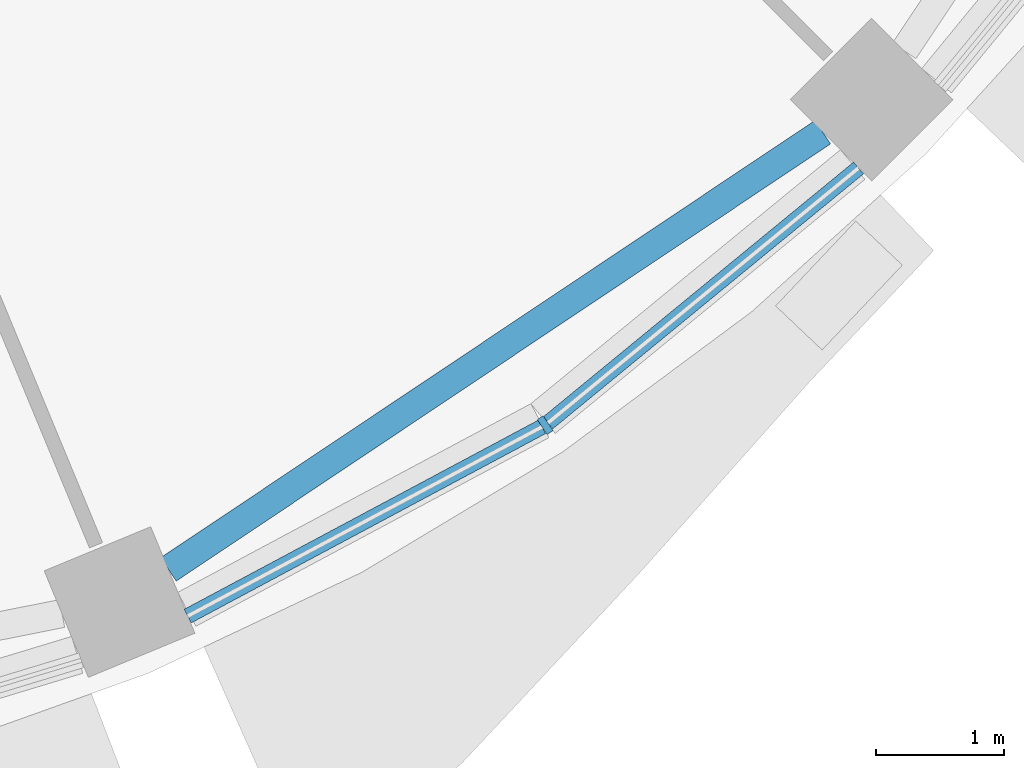
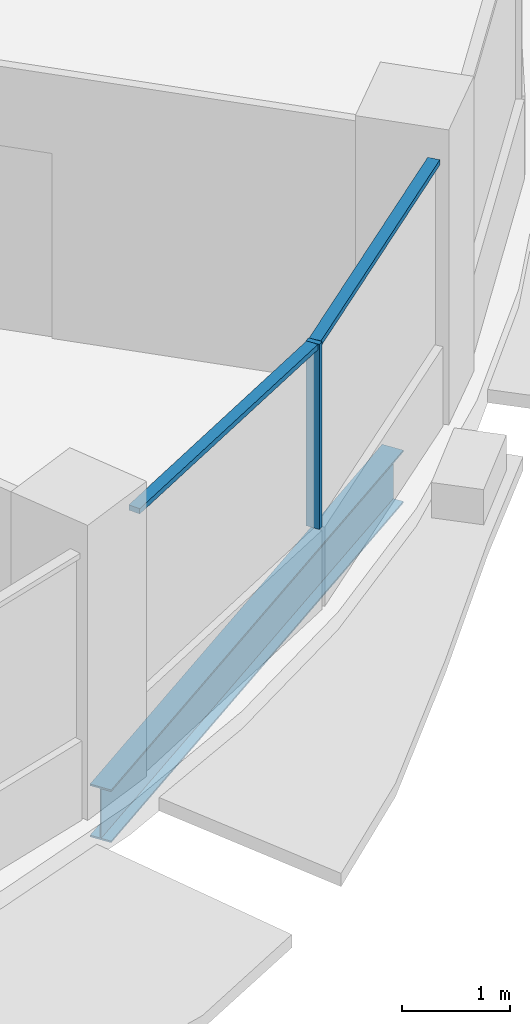
# One storey, part 3 of 15: 3 members, 1 beam, 1 element without a shape of its own.
"""IFC4 building model written with IfcOpenShell, lengths in metres."""

from ifc_helpers import new_model, si_unit, direction, frame, origin, origin_2d, place, context, subcontext, project, spatial, rectangle, i_section, extrude, material, material_profile, profile_set, type_object, element, aggregate, save


model = new_model("IFC4")

# Units and contexts
model_context = context("Model", 3, precision=1e-05, world=origin(), true_north=direction((0.0, 1.0)))
body_context = subcontext(model_context, "Body", "Model", "MODEL_VIEW")
ifc_project = project(units=[si_unit("LENGTHUNIT", "METRE"), si_unit("AREAUNIT", "SQUARE_METRE"), si_unit("VOLUMEUNIT", "CUBIC_METRE"), si_unit("PLANEANGLEUNIT", "RADIAN"), si_unit("MASSUNIT", "GRAM", prefix="KILO")], contexts=[model_context])

# Site, building, storey
site_placement = place(None, origin())
site = spatial("IfcSite", under=ifc_project, at=site_placement, CompositionType="ELEMENT")
building_placement = place(site_placement, origin())
building = spatial("IfcBuilding", under=site, at=building_placement, Name="Polderwave Tower", CompositionType="ELEMENT")
storey_placement = place(building_placement, frame((0.0, 0.0, 167.550048828125)))
storey = spatial("IfcBuildingStorey", under=building, at=storey_placement, Name="L44", CompositionType="ELEMENT", Elevation=167.550048828125)

# Curtain wall, members
ifc_material_1 = material(Name="Aluminium 6063-T6 and glass", Category="aluminium")
curtain_wall_type = type_object("IfcCurtainWallType", Name="Office ribbon glazing wall", PredefinedType="NOTDEFINED", material=ifc_material_1)
curtain_wall_placement = place(storey_placement, origin())
curtain_wall = element("IfcCurtainWall", 1, at=curtain_wall_placement, inside=storey, type_object=curtain_wall_type, Name="CW3 L44 13", PredefinedType="NOTDEFINED")
ifc_material_2 = material(Name="Aluminium 6063-T6", Category="aluminium")
ifc_material_profile_1 = material_profile(ifc_material_2, rectangle(XDim=0.139892578125, YDim=0.054931640625, at=origin_2d()), Name="AL 55x140")
ifc_profile_set_1 = profile_set([ifc_material_profile_1], Name="Aluminium 6063-T6")
member_type_1 = type_object("IfcMemberType", Name="Office ribbon glazing mullion 55x140", PredefinedType="MULLION", material=ifc_profile_set_1)
member_1_placement = place(storey_placement, frame((10.25, -15.341064453125, 0.89990234375), z_axis=(0.0, 0.0, 1.0), x_axis=(-0.555454132545, 0.831547176436, 0.0)))
member_1 = element("IfcMember", 2, at=member_1_placement, type_object=member_type_1, Name="CW3 mullion 1", PredefinedType="MULLION", context=body_context, shape_type="SweptSolid", body=[
    extrude(rectangle(XDim=0.139892578125, YDim=0.054931640625, at=origin_2d()), origin(), (0.0, 0.0, 1.0), 2.10009765625),
])
ifc_material_profile_2 = material_profile(ifc_material_2, rectangle(XDim=0.1201171875, YDim=0.06005859375, at=origin_2d()), Name="AL 60x120")
ifc_profile_set_2 = profile_set([ifc_material_profile_2], Name="Aluminium 6063-T6")
member_type_2 = type_object("IfcMemberType", Name="Office ribbon glazing transom 60x120", PredefinedType="USERDEFINED", material=ifc_profile_set_2)
member_2_placement = place(storey_placement, frame((7.458984375, -16.83203125, 2.969970703125), z_axis=(0.882020915121, 0.471210255925, 0.0), x_axis=(-0.471210255925, 0.882020915121, 0.0)))
member_2 = element("IfcMember", 3, at=member_2_placement, type_object=member_type_2, Name="CW3 transom 1", ObjectType="TRANSOM", PredefinedType="USERDEFINED", context=body_context, shape_type="SweptSolid", body=[
    extrude(rectangle(XDim=0.1201171875, YDim=0.06005859375, at=origin_2d()), origin(), (0.0, 0.0, 1.0), 3.13671875),
])
member_3_placement = place(storey_placement, frame((10.271240234375, -15.323486328125, 2.969970703125), z_axis=(0.773058696079, 0.634334495686, 0.0), x_axis=(-0.634334495686, 0.773058696079, 0.0)))
member_3 = element("IfcMember", 4, at=member_3_placement, type_object=member_type_2, Name="CW3 transom 2", ObjectType="TRANSOM", PredefinedType="USERDEFINED", context=body_context, shape_type="SweptSolid", body=[
    extrude(rectangle(XDim=0.1201171875, YDim=0.06005859375, at=origin_2d()), origin(), (0.0, 0.0, 1.0), 3.137939453125),
])
aggregate(curtain_wall, [member_1, member_2, member_3])

# Beam
ifc_material_3 = material(Name="Steel S355", Category="steel")
ifc_material_profile_3 = material_profile(ifc_material_3, i_section(OverallWidth=0.219970703125, OverallDepth=0.60009765625, WebThickness=0.011962890625, FlangeThickness=0.01904296875, at=origin_2d()), Name="IPE 600")
ifc_profile_set_3 = profile_set([ifc_material_profile_3], Name="Steel S355")
beam_type = type_object("IfcBeamType", Name="RING BEAM IPE 600", PredefinedType="BEAM", material=ifc_profile_set_3)
beam_placement = place(storey_placement, frame((7.30810546875, -16.46728515625, -0.650146484375), z_axis=(0.831469141634, 0.555570937424, 0.0), x_axis=(-0.555570937424, 0.831469141634, 0.0)))
element("IfcBeam", 5, at=beam_placement, inside=storey, type_object=beam_type, Name="ST-RB-L44-13", PredefinedType="BEAM", context=body_context, shape_type="SweptSolid", body=[
    extrude(i_section(OverallWidth=0.219970703125, OverallDepth=0.60009765625, WebThickness=0.011962890625, FlangeThickness=0.01904296875, at=origin_2d()), origin(), (0.0, 0.0, 1.0), 6.144775390625),
])

save(model, "model.ifc")
